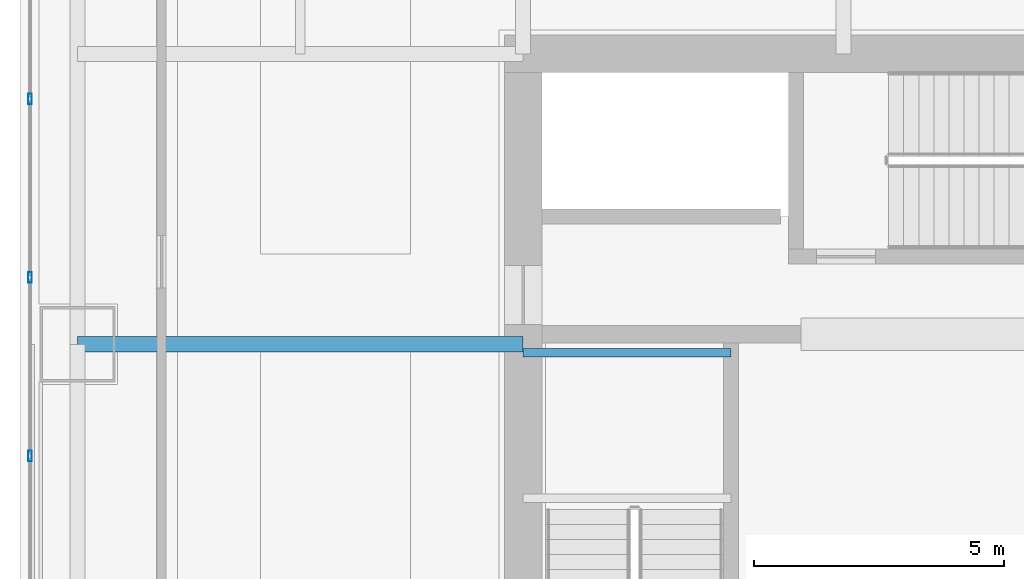
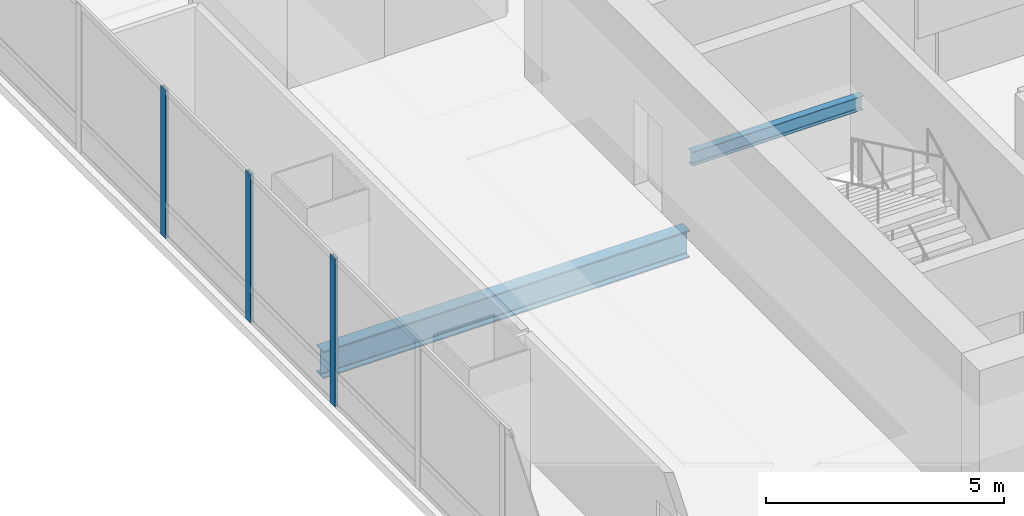
# One storey, part 10 of 35: 3 members, 2 beams, 1 element without a shape of its own.
"""IFC4 building model written with IfcOpenShell, lengths in metres."""

from ifc_helpers import new_model, si_unit, direction, frame, origin, origin_2d, place, context, subcontext, project, spatial, hollow_rectangle, i_section, extrude, material, material_profile, profile_set, type_object, element, aggregate, save


model = new_model("IFC4")

# Units and contexts
model_context = context("Model", 3, precision=1e-05, world=origin(), true_north=direction((0.0, 1.0)))
body_context = subcontext(model_context, "Body", "Model", "MODEL_VIEW")
ifc_project = project(units=[si_unit("LENGTHUNIT", "METRE"), si_unit("AREAUNIT", "SQUARE_METRE"), si_unit("VOLUMEUNIT", "CUBIC_METRE"), si_unit("PLANEANGLEUNIT", "RADIAN"), si_unit("MASSUNIT", "GRAM", prefix="KILO")], contexts=[model_context])

# Site, building, storey
site_placement = place(None, origin())
site = spatial("IfcSite", under=ifc_project, at=site_placement, CompositionType="ELEMENT")
building_placement = place(site_placement, origin())
building = spatial("IfcBuilding", under=site, at=building_placement, Name="Punatoya Terracotta Tower", CompositionType="ELEMENT")
storey_placement = place(building_placement, frame((0.0, 0.0, 72.75)))
storey = spatial("IfcBuildingStorey", under=building, at=storey_placement, Name="L16", CompositionType="ELEMENT", Elevation=72.75)

# Beams
ifc_material_1 = material(Name="Steel S355", Category="steel")
ifc_material_profile_1 = material_profile(ifc_material_1, i_section(OverallWidth=0.300048828125, OverallDepth=0.699951171875, WebThickness=0.01708984375, FlangeThickness=0.031982421875, FilletRadius=0.01806640625, at=origin_2d()))
ifc_profile_set_1 = profile_set([ifc_material_profile_1], Name="Steel S355")
beam_type_1 = type_object("IfcBeamType", Name="BM-PRI-700", PredefinedType="BEAM", material=ifc_profile_set_1)
beam_1_placement = place(storey_placement, frame((-19.10009765625, 3.39990234375, -0.590087890625), z_axis=(1.0, 0.0, 0.0), x_axis=(0.0, 1.0, 0.0)))
element("IfcBeam", 1, at=beam_1_placement, inside=storey, type_object=beam_type_1, Name="BM-L16-PR-WE", PredefinedType="BEAM", context=body_context, shape_type="SweptSolid", body=[
    extrude(i_section(OverallWidth=0.300048828125, OverallDepth=0.699951171875, WebThickness=0.01708984375, FlangeThickness=0.031982421875, FilletRadius=0.01806640625, at=origin_2d()), origin(), (0.0, 0.0, 1.0), 8.900146484375),
])
ifc_material_profile_2 = material_profile(ifc_material_1, i_section(OverallWidth=0.169921875, OverallDepth=0.360107421875, WebThickness=0.008056640625, FlangeThickness=0.0126953125, FilletRadius=0.01806640625, at=origin_2d()))
ifc_profile_set_2 = profile_set([ifc_material_profile_2], Name="Steel S355")
beam_type_2 = type_object("IfcBeamType", Name="BM-SEC-360", PredefinedType="JOIST", material=ifc_profile_set_2)
beam_2_placement = place(storey_placement, frame((-10.199951171875, 3.22998046875, 1.64501953125), z_axis=(1.0, 0.0, 0.0), x_axis=(0.0, 1.0, 0.0)))
element("IfcBeam", 2, at=beam_2_placement, inside=storey, type_object=beam_type_2, Name="BM-L16-ST-1-LD1B", PredefinedType="JOIST", context=body_context, shape_type="SweptSolid", body=[
    extrude(i_section(OverallWidth=0.169921875, OverallDepth=0.360107421875, WebThickness=0.008056640625, FlangeThickness=0.0126953125, FilletRadius=0.01806640625, at=origin_2d()), origin(), (0.0, 0.0, 1.0), 4.14990234375),
])

# Curtain wall, members
ifc_material_2 = material(Name="Aluminium 6063-T6 + Double Low-E Glass", Category="aluminium")
curtain_wall_type = type_object("IfcCurtainWallType", Name="CW-M1", PredefinedType="NOTDEFINED", material=ifc_material_2)
curtain_wall_placement = place(storey_placement, origin())
curtain_wall = element("IfcCurtainWall", 3, at=curtain_wall_placement, inside=storey, type_object=curtain_wall_type, Name="L16 Curtain Wall CW-L16-W13-1", PredefinedType="NOTDEFINED")
ifc_material_3 = material(Name="Aluminium 6063-T6", Category="aluminium")
ifc_material_profile_3 = material_profile(ifc_material_3, hollow_rectangle(XDim=0.074951171875, YDim=0.2099609375, WallThickness=0.00439453125, at=origin_2d()))
ifc_profile_set_3 = profile_set([ifc_material_profile_3], Name="Aluminium 6063-T6")
member_type = type_object("IfcMemberType", Name="CW-MUL-M1", PredefinedType="MULLION", material=ifc_profile_set_3)
member_1_placement = place(storey_placement, frame((-20.050048828125, 8.302001953125, 0.0), z_axis=(0.0, 0.0, 1.0), x_axis=(1.0, 0.0, 0.0)))
member_1 = element("IfcMember", 4, at=member_1_placement, type_object=member_type, Name="CW-L16-W13-1 Mullion 02", PredefinedType="MULLION", context=body_context, shape_type="SweptSolid", body=[
    extrude(hollow_rectangle(XDim=0.074951171875, YDim=0.2099609375, WallThickness=0.00439453125, at=origin_2d()), origin(), (0.0, 0.0, 1.0), 3.81005859375),
])
member_2_placement = place(storey_placement, frame((-20.050048828125, 4.73486328125, 0.0), z_axis=(0.0, 0.0, 1.0), x_axis=(1.0, 0.0, 0.0)))
member_2 = element("IfcMember", 5, at=member_2_placement, type_object=member_type, Name="CW-L16-W13-1 Mullion 03", PredefinedType="MULLION", context=body_context, shape_type="SweptSolid", body=[
    extrude(hollow_rectangle(XDim=0.074951171875, YDim=0.2099609375, WallThickness=0.00439453125, at=origin_2d()), origin(), (0.0, 0.0, 1.0), 3.81005859375),
])
member_3_placement = place(storey_placement, frame((-20.050048828125, 1.16748046875, 0.0), z_axis=(0.0, 0.0, 1.0), x_axis=(1.0, 0.0, 0.0)))
member_3 = element("IfcMember", 6, at=member_3_placement, type_object=member_type, Name="CW-L16-W13-1 Mullion 04", PredefinedType="MULLION", context=body_context, shape_type="SweptSolid", body=[
    extrude(hollow_rectangle(XDim=0.074951171875, YDim=0.2099609375, WallThickness=0.00439453125, at=origin_2d()), origin(), (0.0, 0.0, 1.0), 3.81005859375),
])
aggregate(curtain_wall, [member_1, member_2, member_3])

save(model, "model.ifc")
